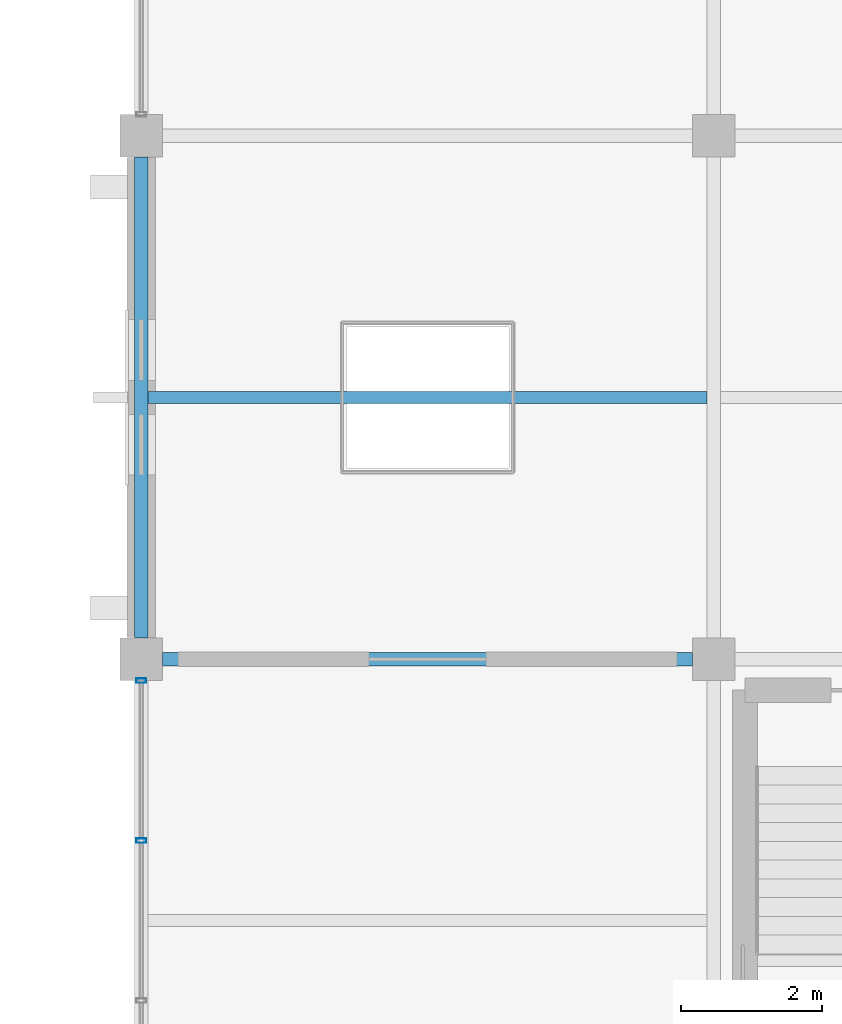
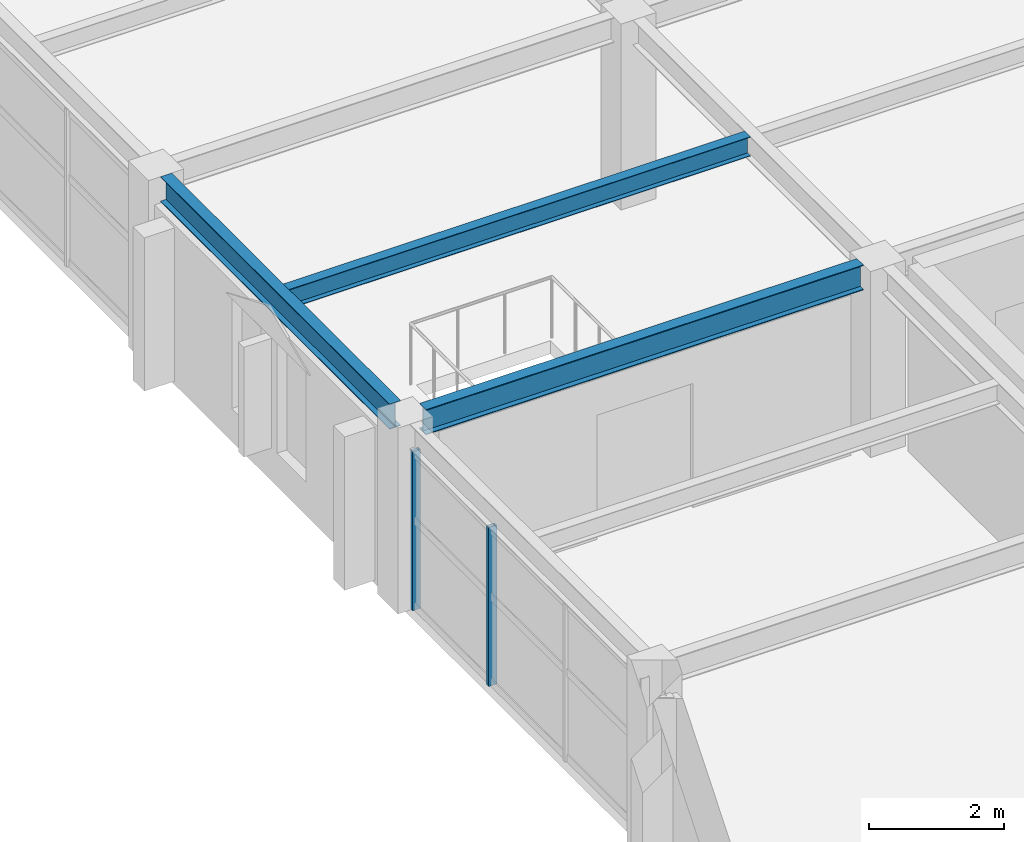
# One storey, part 21 of 121: 3 beams, 2 members, 1 element without a shape of its own.
"""IFC4 building model written with IfcOpenShell, lengths in metres."""

import ifcopenshell
import ifcopenshell.guid

model = None  # the IFC model being written
_history = None  # IfcOwnerHistory: only IFC2X3 demands one
_inside = {}  # id of a spatial element -> (the spatial element, [elements in it])
_under = {}  # id of a project, library or spatial element -> (it, [spatial elements below it])
_declared = {}  # id of a project -> (the project, [libraries it declares])
_typed = {}  # id of a type object -> (the type object, [elements of that type])
_made_of = {}  # id of a material, layer set ... -> (it, [elements and type objects made of it])


def new_model(schema):
    """Start an empty IFC model of exactly this schema.

    Asked for "IFC4X3", IfcOpenShell would pick the latest addendum, in which some entities
    have other attributes; the version numbers below select the first issue.
    IFC2X3 requires an IfcOwnerHistory on every rooted entity: one is made here for all.
    """
    global model, _history
    if schema == "IFC4X3":
        model = ifcopenshell.file(schema_version=(4, 3, 0, 0))
    else:
        model = ifcopenshell.file(schema=schema)
    _inside.clear()
    _under.clear()
    _declared.clear()
    _typed.clear()
    _made_of.clear()
    _history = None
    if model.schema == "IFC2X3":
        org = make("IfcOrganization", Name="unknown")
        user = make(
            "IfcPersonAndOrganization",
            ThePerson=make("IfcPerson", FamilyName="unknown"),
            TheOrganization=org,
        )
        app = make(
            "IfcApplication",
            ApplicationDeveloper=org,
            Version="unknown",
            ApplicationFullName="unknown",
            ApplicationIdentifier="unknown",
        )
        _history = make(
            "IfcOwnerHistory",
            OwningUser=user,
            OwningApplication=app,
            ChangeAction="ADDED",
            CreationDate=0,
        )
    return model


def make(cls, **values):
    """One entity of the class cls with the attributes given. An attribute that is None is left unset."""
    return model.create_entity(
        cls, **{name: value for name, value in values.items() if value is not None}
    )


def rooted(cls, **values):
    """An entity with a GlobalId (a new one), such as an element, a storey or a relation."""
    return make(cls, GlobalId=ifcopenshell.guid.new(), OwnerHistory=_history, **values)


def si_unit(unit_type, name, prefix=None):
    """IfcSIUnit, for example si_unit("LENGTHUNIT", "METRE", prefix="MILLI")."""
    return make("IfcSIUnit", UnitType=unit_type, Prefix=prefix, Name=name)


def assignment(units):
    """IfcUnitAssignment: the units of a project."""
    return None if units is None else make("IfcUnitAssignment", Units=units)


def point(xyz):
    """IfcCartesianPoint."""
    return None if xyz is None else make("IfcCartesianPoint", Coordinates=xyz)


def direction(xyz):
    """IfcDirection."""
    return None if xyz is None else make("IfcDirection", DirectionRatios=xyz)


def frame(location, z_axis=None, x_axis=None):
    """IfcAxis2Placement3D, a coordinate frame: its origin and axes. An axis left out is left unset."""
    return make(
        "IfcAxis2Placement3D",
        Location=point(location),
        Axis=direction(z_axis),
        RefDirection=direction(x_axis),
    )


def frame_2d(location, x_axis=None):
    """IfcAxis2Placement2D, a coordinate frame in the plane: its origin and x axis."""
    return make(
        "IfcAxis2Placement2D", Location=point(location), RefDirection=direction(x_axis)
    )


def origin():
    """The frame at (0, 0, 0) with its axes left unset."""
    return frame((0.0, 0.0, 0.0))


def origin_2d():
    """The frame at (0, 0) in the plane with its x axis left unset."""
    return frame_2d((0.0, 0.0))


def place(relative_to, where):
    """IfcLocalPlacement: puts the frame where relative to a parent placement (None: the world)."""
    return make(
        "IfcLocalPlacement", PlacementRelTo=relative_to, RelativePlacement=where
    )


def context(
    kind, dimensions, precision=None, world=None, true_north=None, identifier=None
):
    """IfcGeometricRepresentationContext, for example the 3D "Model" context."""
    return make(
        "IfcGeometricRepresentationContext",
        ContextIdentifier=identifier,
        ContextType=kind,
        CoordinateSpaceDimension=dimensions,
        Precision=precision,
        WorldCoordinateSystem=world,
        TrueNorth=true_north,
    )


def subcontext(parent, identifier, kind, view, scale=None):
    """IfcGeometricRepresentationSubContext, for example "Body" below "Model"."""
    return make(
        "IfcGeometricRepresentationSubContext",
        ContextIdentifier=identifier,
        ContextType=kind,
        ParentContext=parent,
        TargetScale=scale,
        TargetView=view,
    )


def project(units=None, contexts=None):
    """IfcProject with its units and contexts."""
    return rooted(
        "IfcProject",
        Name="project",
        RepresentationContexts=contexts,
        UnitsInContext=assignment(units),
    )


def spatial(cls, under=None, at=None, **own):
    """A site, building, storey or space (cls), placed at a placement, below another one or the project."""
    s = rooted(cls, ObjectPlacement=at, **own)
    if under is not None:
        _under.setdefault(under.id(), (under, []))[1].append(s)
    return s


def profile(cls, at=None, kind="AREA", **sizes):
    """A parametric profile (cls). Its sizes go by their IFC names, for example OverallWidth=200.0."""
    return make(cls, ProfileType=kind, Position=at, **sizes)


def hollow_rectangle(**sizes):
    """IfcRectangleHollowProfileDef."""
    return profile("IfcRectangleHollowProfileDef", **sizes)


def i_section(**sizes):
    """IfcIShapeProfileDef."""
    return profile("IfcIShapeProfileDef", **sizes)


def extrude(swept, where, along, depth):
    """IfcExtrudedAreaSolid: the profile swept, set in the frame where, extruded along a direction by depth."""
    return make(
        "IfcExtrudedAreaSolid",
        SweptArea=swept,
        Position=where,
        ExtrudedDirection=direction(along),
        Depth=depth,
    )


def shape(context_of_items, identifier, shape_type, items):
    """IfcShapeRepresentation: the items that make up one representation, for example the "Body"."""
    return make(
        "IfcShapeRepresentation",
        ContextOfItems=context_of_items,
        RepresentationIdentifier=identifier,
        RepresentationType=shape_type,
        Items=items,
    )


def material(Name=None, Category=None):
    """IfcMaterial."""
    return make("IfcMaterial", Name=Name, Category=Category)


def material_profile(
    of_material, cross_section, Name=None, Category=None, Priority=None
):
    """IfcMaterialProfile: a cross section and its material."""
    return make(
        "IfcMaterialProfile",
        Name=Name,
        Material=of_material,
        Profile=cross_section,
        Priority=Priority,
        Category=Category,
    )


def profile_set(profiles, Name=None, composite=None):
    """IfcMaterialProfileSet."""
    return make(
        "IfcMaterialProfileSet",
        Name=Name,
        MaterialProfiles=profiles,
        CompositeProfile=composite,
    )


def made_of(thing, what):
    """Note that an element or type object is made of a material, layer set ...; save() writes the relation."""
    if what is not None:
        _made_of.setdefault(what.id(), (what, []))[1].append(thing)
    return thing


def type_object(cls, material=None, **own):
    """A type object (cls), such as IfcWallType, which elements share."""
    return made_of(rooted(cls, **own), material)


def element(
    cls,
    number,
    at=None,
    inside=None,
    cuts=None,
    type_object=None,
    material=None,
    context=None,
    identifier="Body",
    shape_type=None,
    held_by="IfcProductDefinitionShape",
    body=None,
    shapes=None,
    **own,
):
    """One element of the class cls, such as IfcWall. Its Tag is "e" and its number.

    at: its placement. inside: the storey or other place that contains it. cuts: it is an
    opening in that element (IfcRelVoidsElement). A single representation is given by context,
    identifier, shape_type and body (its items); several are given by shapes. held_by: the class
    of the entity that holds the representations. save() writes the other relations.
    """
    e = rooted(cls, Tag="e%d" % number, ObjectPlacement=at, **own)
    if body is not None:
        shapes = [shape(context, identifier, shape_type, body)]
    if shapes is not None:
        e.Representation = make(held_by, Representations=shapes)
    if inside is not None:
        _inside.setdefault(inside.id(), (inside, []))[1].append(e)
    if cuts is not None:
        rooted(
            "IfcRelVoidsElement", RelatingBuildingElement=cuts, RelatedOpeningElement=e
        )
    if type_object is not None:
        _typed.setdefault(type_object.id(), (type_object, []))[1].append(e)
    return made_of(e, material)


def aggregate(whole, parts):
    """IfcRelAggregates: a whole, such as a stair, and the parts it consists of."""
    return rooted("IfcRelAggregates", RelatingObject=whole, RelatedObjects=parts)


def save(model, path):
    """Write the relations noted so far, then the file.

    IfcRelAggregates (storeys below a building ...), IfcRelContainedInSpatialStructure (elements
    in a storey), IfcRelDefinesByType, IfcRelAssociatesMaterial and IfcRelDeclares: one each for
    every whole, place, type object, material and project.
    """
    for whole, parts in _under.values():
        aggregate(whole, parts)
    for where, things in _inside.values():
        rooted(
            "IfcRelContainedInSpatialStructure",
            RelatedElements=things,
            RelatingStructure=where,
        )
    for kind, things in _typed.values():
        rooted("IfcRelDefinesByType", RelatedObjects=things, RelatingType=kind)
    for what, things in _made_of.values():
        rooted("IfcRelAssociatesMaterial", RelatedObjects=things, RelatingMaterial=what)
    for by, libraries in _declared.values():
        rooted("IfcRelDeclares", RelatingContext=by, RelatedDefinitions=libraries)
    model.write(path)


model = new_model("IFC4")

# Units and contexts
model_context = context("Model", 3, precision=1e-05, world=origin(), true_north=direction((0.0, 1.0)))
body_context = subcontext(model_context, "Body", "Model", "MODEL_VIEW")
ifc_project = project(units=[si_unit("LENGTHUNIT", "METRE"), si_unit("AREAUNIT", "SQUARE_METRE"), si_unit("VOLUMEUNIT", "CUBIC_METRE"), si_unit("PLANEANGLEUNIT", "RADIAN"), si_unit("MASSUNIT", "GRAM", prefix="KILO")], contexts=[model_context])

# Site, building, storey
site_placement = place(None, origin())
site = spatial("IfcSite", under=ifc_project, at=site_placement, CompositionType="ELEMENT")
building_placement = place(site_placement, origin())
building = spatial("IfcBuilding", under=site, at=building_placement, Name="Cimatlan Art Gallery", CompositionType="ELEMENT")
storey_placement = place(building_placement, frame((0.0, 0.0, 10.199951171875)))
storey = spatial("IfcBuildingStorey", under=building, at=storey_placement, Name="L02", CompositionType="ELEMENT", Elevation=10.199951171875)

# Beams
ifc_material_1 = material(Name="Steel ASTM A992 Grade 50", Category="steel")
ifc_material_profile_1 = material_profile(ifc_material_1, i_section(OverallWidth=0.1708984375, OverallDepth=0.35107421875, WebThickness=0.0068359375, FlangeThickness=0.009765625, at=origin_2d()), Name="W14X30")
ifc_profile_set_1 = profile_set([ifc_material_profile_1], Name="Steel ASTM A992 Grade 50")
beam_type_1 = type_object("IfcBeamType", Name="BM-STL-W14X30", PredefinedType="JOIST", material=ifc_profile_set_1)
beam_1_placement = place(storey_placement, frame((34.49560546875, 64.60009765625, 3.194580078125), z_axis=(1.0, 0.0, 0.0), x_axis=(0.0, 1.0, 0.0)))
element("IfcBeam", 1, at=beam_1_placement, inside=storey, type_object=beam_type_1, Name="JST-L02-04-08", PredefinedType="JOIST", context=body_context, shape_type="SweptSolid", body=[
    extrude(i_section(OverallWidth=0.1708984375, OverallDepth=0.35107421875, WebThickness=0.0068359375, FlangeThickness=0.009765625, at=origin_2d()), origin(), (0.0, 0.0, 1.0), 7.908935546875),
])
ifc_material_profile_2 = material_profile(ifc_material_1, i_section(OverallWidth=0.19091796875, OverallDepth=0.45703125, WebThickness=0.009033203125, FlangeThickness=0.014404296875, at=origin_2d()), Name="W18X50")
ifc_profile_set_2 = profile_set([ifc_material_profile_2], Name="Steel ASTM A992 Grade 50")
beam_type_2 = type_object("IfcBeamType", Name="BM-STL-W18X50", PredefinedType="BEAM", material=ifc_profile_set_2)
beam_2_placement = place(storey_placement, frame((34.39990234375, 61.199951171875, 3.1416015625), z_axis=(0.0, 1.0, 0.0), x_axis=(-1.0, 0.0, 0.0)))
element("IfcBeam", 2, at=beam_2_placement, inside=storey, type_object=beam_type_2, Name="BM-Y-L02-04-08", PredefinedType="BEAM", context=body_context, shape_type="SweptSolid", body=[
    extrude(i_section(OverallWidth=0.19091796875, OverallDepth=0.45703125, WebThickness=0.009033203125, FlangeThickness=0.014404296875, at=origin_2d()), origin(), (0.0, 0.0, 1.0), 6.800048828125),
])
beam_3_placement = place(storey_placement, frame((34.699951171875, 60.89990234375, 3.1416015625), z_axis=(1.0, 0.0, 0.0), x_axis=(0.0, 1.0, 0.0)))
element("IfcBeam", 3, at=beam_3_placement, inside=storey, type_object=beam_type_2, Name="BM-X-L02-04-08", PredefinedType="BEAM", context=body_context, shape_type="SweptSolid", body=[
    extrude(i_section(OverallWidth=0.19091796875, OverallDepth=0.45703125, WebThickness=0.009033203125, FlangeThickness=0.014404296875, at=origin_2d()), origin(), (0.0, 0.0, 1.0), 7.5),
])

# Curtain wall, members
ifc_material_2 = material(Name="Anodised bronze unitised curtain wall")
curtain_wall_type = type_object("IfcCurtainWallType", Name="CW-V-06792X02883-B3", PredefinedType="NOTDEFINED", material=ifc_material_2)
curtain_wall_placement = place(storey_placement, origin())
curtain_wall = element("IfcCurtainWall", 4, at=curtain_wall_placement, inside=storey, type_object=curtain_wall_type, Name="CW-L02-04-07-W", PredefinedType="NOTDEFINED")
ifc_material_3 = material(Name="Anodised bronze aluminium 6063-T6", Category="aluminium")
ifc_material_profile_3 = material_profile(ifc_material_3, hollow_rectangle(XDim=0.06494140625, YDim=0.139892578125, WallThickness=0.00390625, at=origin_2d()), Name="ALU65X140X4")
ifc_profile_set_3 = profile_set([ifc_material_profile_3], Name="Anodised bronze aluminium 6063-T6")
member_type = type_object("IfcMemberType", Name="CW-MUL-140", PredefinedType="MULLION", material=ifc_profile_set_3)
member_1_placement = place(storey_placement, frame((34.39990234375, 58.33203125, 0.0), z_axis=(0.0, 0.0, 1.0), x_axis=(0.0, 1.0, 0.0)))
member_1 = element("IfcMember", 5, at=member_1_placement, type_object=member_type, Name="CW-L02-04-07-W-M3", PredefinedType="MULLION", context=body_context, shape_type="SweptSolid", body=[
    extrude(hollow_rectangle(XDim=0.06494140625, YDim=0.139892578125, WallThickness=0.00390625, at=origin_2d()), origin(), (0.0, 0.0, 1.0), 2.883056640625),
])
member_2_placement = place(storey_placement, frame((34.39990234375, 60.595947265625, 0.0), z_axis=(0.0, 0.0, 1.0), x_axis=(0.0, 1.0, 0.0)))
member_2 = element("IfcMember", 6, at=member_2_placement, type_object=member_type, Name="CW-L02-04-07-W-M4", PredefinedType="MULLION", context=body_context, shape_type="SweptSolid", body=[
    extrude(hollow_rectangle(XDim=0.06494140625, YDim=0.139892578125, WallThickness=0.00390625, at=origin_2d()), origin(), (0.0, 0.0, 1.0), 2.883056640625),
])
aggregate(curtain_wall, [member_1, member_2])

save(model, "model.ifc")
